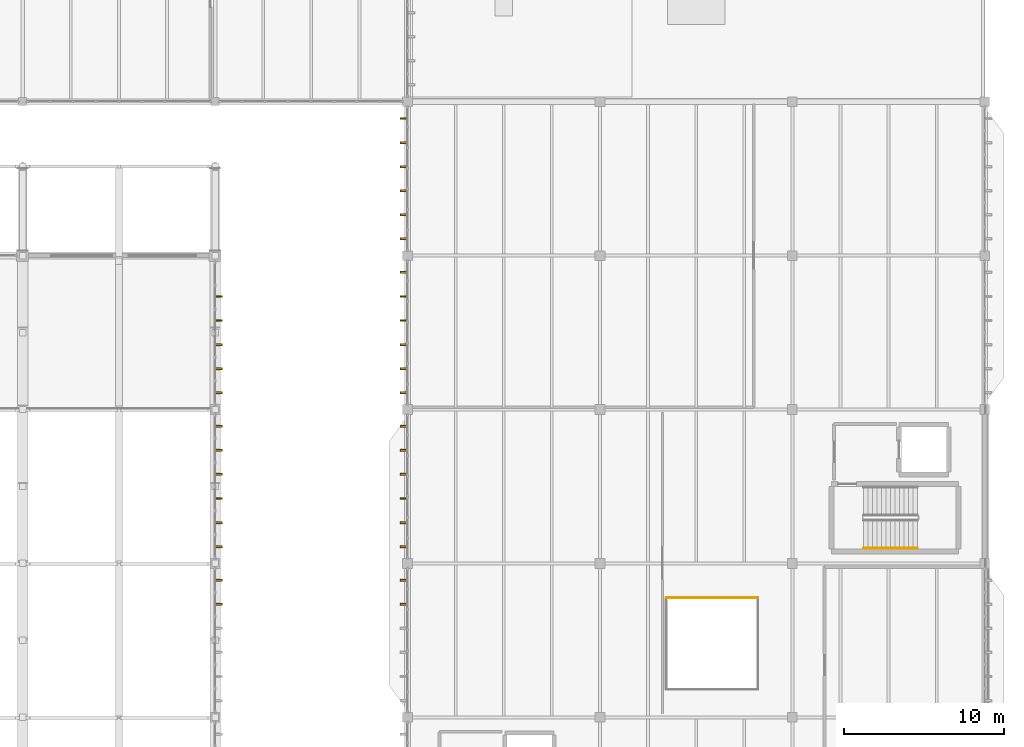
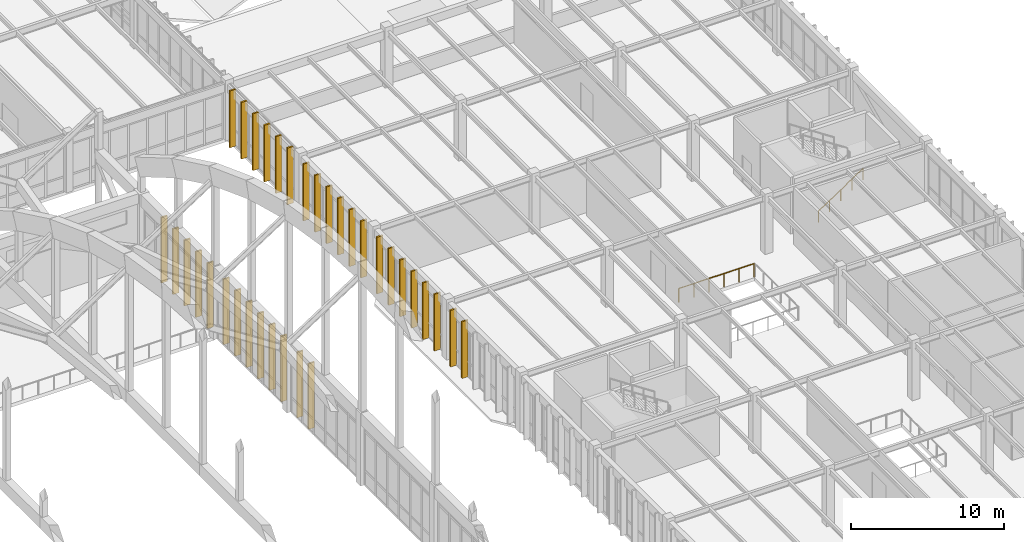
# One storey, part 234 of 236: 33 shading devices, 2 railings.
"""IFC4 building model written with IfcOpenShell, lengths in metres."""

from ifc_helpers import new_model, si_unit, direction, frame, origin, origin_2d, place, context, subcontext, project, spatial, rectangle, circle, extrude, material, type_object, element, save


model = new_model("IFC4")

# Units and contexts
model_context = context("Model", 3, precision=1e-05, world=origin(), true_north=direction((0.0, 1.0)))
body_context = subcontext(model_context, "Body", "Model", "MODEL_VIEW")
ifc_project = project(units=[si_unit("LENGTHUNIT", "METRE"), si_unit("AREAUNIT", "SQUARE_METRE"), si_unit("VOLUMEUNIT", "CUBIC_METRE"), si_unit("PLANEANGLEUNIT", "RADIAN"), si_unit("MASSUNIT", "GRAM", prefix="KILO")], contexts=[model_context])

# Site, building, storey
site_placement = place(None, origin())
site = spatial("IfcSite", under=ifc_project, at=site_placement, CompositionType="ELEMENT")
building_placement = place(site_placement, origin())
building = spatial("IfcBuilding", under=site, at=building_placement, Name="Pandanus Reach Market Hall", CompositionType="ELEMENT")
storey_placement = place(building_placement, frame((0.0, 0.0, 5.39990234375)))
storey = spatial("IfcBuildingStorey", under=building, at=storey_placement, Name="L01", CompositionType="ELEMENT", Elevation=5.39990234375)

# Shading devices
ifc_material_1 = material(Name="Precast concrete S50 (50 MPa)", Category="concrete")
shading_device_type = type_object("IfcShadingDeviceType", Name="FN-S50-450", PredefinedType="JALOUSIE", material=ifc_material_1)
for number, where, z_axis, x_axis, name in (
    (1, (132.219970703125, 64.64990234375, -0.009765625), (0.0, 0.0, 1.0), (1.0, 0.0, 0.0), "Precast brise-soleil fin 142"),
    (2, (132.219970703125, 66.14990234375, -0.009765625), (0.0, 0.0, 1.0), (1.0, 0.0, 0.0), "Precast brise-soleil fin 143"),
    (3, (132.219970703125, 68.25, -0.009765625), (0.0, 0.0, 1.0), (1.0, 0.0, 0.0), "Precast brise-soleil fin 150"),
    (4, (132.219970703125, 69.75, -0.009765625), (0.0, 0.0, 1.0), (1.0, 0.0, 0.0), "Precast brise-soleil fin 151"),
    (5, (132.219970703125, 71.25, -0.009765625), (0.0, 0.0, 1.0), (1.0, 0.0, 0.0), "Precast brise-soleil fin 152"),
    (6, (132.219970703125, 72.75, -0.009765625), (0.0, 0.0, 1.0), (1.0, 0.0, 0.0), "Precast brise-soleil fin 153"),
    (7, (132.219970703125, 74.25, -0.009765625), (0.0, 0.0, 1.0), (1.0, 0.0, 0.0), "Precast brise-soleil fin 154"),
    (8, (132.219970703125, 75.75, -0.009765625), (0.0, 0.0, 1.0), (1.0, 0.0, 0.0), "Precast brise-soleil fin 155"),
    (9, (132.219970703125, 77.85009765625, -0.009765625), (0.0, 0.0, 1.0), (1.0, 0.0, 0.0), "Precast brise-soleil fin 171"),
    (10, (132.219970703125, 79.35009765625, -0.009765625), (0.0, 0.0, 1.0), (1.0, 0.0, 0.0), "Precast brise-soleil fin 172"),
    (11, (132.219970703125, 80.85009765625, -0.009765625), (0.0, 0.0, 1.0), (1.0, 0.0, 0.0), "Precast brise-soleil fin 173"),
    (12, (132.219970703125, 82.35009765625, -0.009765625), (0.0, 0.0, 1.0), (1.0, 0.0, 0.0), "Precast brise-soleil fin 174"),
    (13, (132.219970703125, 83.85009765625, -0.009765625), (0.0, 0.0, 1.0), (1.0, 0.0, 0.0), "Precast brise-soleil fin 175"),
):
    element("IfcShadingDevice", number, at=place(storey_placement, frame(where, z_axis=z_axis, x_axis=x_axis)), inside=storey, type_object=shading_device_type, Name=name, PredefinedType="JALOUSIE", context=body_context, shape_type="SweptSolid", body=[
        extrude(rectangle(XDim=0.449951171875, YDim=0.1201171875, at=origin_2d()), origin(), (0.0, 0.0, 1.0), 5.219970703125),
    ])
for number, where, z_axis, x_axis, name in (
    (14, (143.780029296875, 64.64990234375, -0.010009765625), (0.0, 0.0, 1.0), (-1.0, 0.0, 0.0), "Precast brise-soleil fin 403"),
    (15, (143.780029296875, 66.14990234375, -0.010009765625), (0.0, 0.0, 1.0), (-1.0, 0.0, 0.0), "Precast brise-soleil fin 404"),
    (16, (143.780029296875, 68.25, -0.010009765625), (0.0, 0.0, 1.0), (-1.0, 0.0, 0.0), "Precast brise-soleil fin 405"),
    (17, (143.780029296875, 69.75, -0.010009765625), (0.0, 0.0, 1.0), (-1.0, 0.0, 0.0), "Precast brise-soleil fin 406"),
    (18, (143.780029296875, 71.25, -0.010009765625), (0.0, 0.0, 1.0), (-1.0, 0.0, 0.0), "Precast brise-soleil fin 407"),
    (19, (143.780029296875, 72.75, -0.010009765625), (0.0, 0.0, 1.0), (-1.0, 0.0, 0.0), "Precast brise-soleil fin 408"),
    (20, (143.780029296875, 74.25, -0.010009765625), (0.0, 0.0, 1.0), (-1.0, 0.0, 0.0), "Precast brise-soleil fin 409"),
    (21, (143.780029296875, 75.75, -0.010009765625), (0.0, 0.0, 1.0), (-1.0, 0.0, 0.0), "Precast brise-soleil fin 410"),
    (22, (143.780029296875, 77.85009765625, -0.010009765625), (0.0, 0.0, 1.0), (-1.0, 0.0, 0.0), "Precast brise-soleil fin 411"),
    (23, (143.780029296875, 79.35009765625, -0.010009765625), (0.0, 0.0, 1.0), (-1.0, 0.0, 0.0), "Precast brise-soleil fin 412"),
    (24, (143.780029296875, 80.85009765625, -0.010009765625), (0.0, 0.0, 1.0), (-1.0, 0.0, 0.0), "Precast brise-soleil fin 413"),
    (25, (143.780029296875, 82.35009765625, -0.010009765625), (0.0, 0.0, 1.0), (-1.0, 0.0, 0.0), "Precast brise-soleil fin 414"),
    (26, (143.780029296875, 83.85009765625, -0.010009765625), (0.0, 0.0, 1.0), (-1.0, 0.0, 0.0), "Precast brise-soleil fin 415"),
    (27, (143.780029296875, 85.35009765625, -0.010009765625), (0.0, 0.0, 1.0), (-1.0, 0.0, 0.0), "Precast brise-soleil fin 416"),
    (28, (143.780029296875, 87.449951171875, -0.010009765625), (0.0, 0.0, 1.0), (-1.0, 0.0, 0.0), "Precast brise-soleil fin 417"),
    (29, (143.780029296875, 88.949951171875, -0.010009765625), (0.0, 0.0, 1.0), (-1.0, 0.0, 0.0), "Precast brise-soleil fin 418"),
    (30, (143.780029296875, 90.449951171875, -0.010009765625), (0.0, 0.0, 1.0), (-1.0, 0.0, 0.0), "Precast brise-soleil fin 419"),
    (31, (143.780029296875, 91.949951171875, -0.010009765625), (0.0, 0.0, 1.0), (-1.0, 0.0, 0.0), "Precast brise-soleil fin 420"),
    (32, (143.780029296875, 93.449951171875, -0.010009765625), (0.0, 0.0, 1.0), (-1.0, 0.0, 0.0), "Precast brise-soleil fin 421"),
    (33, (143.780029296875, 94.949951171875, -0.010009765625), (0.0, 0.0, 1.0), (-1.0, 0.0, 0.0), "Precast brise-soleil fin 422"),
):
    element("IfcShadingDevice", number, at=place(storey_placement, frame(where, z_axis=z_axis, x_axis=x_axis)), inside=storey, type_object=shading_device_type, Name=name, PredefinedType="JALOUSIE", context=body_context, shape_type="SweptSolid", body=[
        extrude(rectangle(XDim=0.449951171875, YDim=0.1201171875, at=origin_2d()), origin(), (0.0, 0.0, 1.0), 4.52001953125),
    ])

# Railings
ifc_material_2 = material(Name="Galvanised steel Grade 350 (350 MPa)", Category="steel")
railing_type_1 = type_object("IfcRailingType", Name="GR-INT-110", PredefinedType="GUARDRAIL", material=ifc_material_2)
railing_1_placement = place(storey_placement, frame((165.820068359375, 65.06005859375, 0.0)))
element("IfcRailing", 34, at=railing_1_placement, inside=storey, type_object=railing_type_1, Name="Atrium lightwell guard L01.231", PredefinedType="GUARDRAIL", context=body_context, shape_type="SweptSolid", body=[
    extrude(circle(Radius=0.02392578125, at=origin_2d()), frame((0.0, 0.0, 1.076171875), z_axis=(-1.0, 0.0, 0.0), x_axis=(0.0, -1.0, 0.0)), (0.0, 0.0, 1.0), 5.68017578125),
    extrude(circle(Radius=0.02099609375, at=origin_2d()), origin(), (0.0, 0.0, 1.0), 1.052001953125),
    extrude(circle(Radius=0.02099609375, at=origin_2d()), frame((-1.135986328125, 0.0, 0.0)), (0.0, 0.0, 1.0), 1.052001953125),
    extrude(circle(Radius=0.02099609375, at=origin_2d()), frame((-2.27197265625, 0.0, 0.0)), (0.0, 0.0, 1.0), 1.052001953125),
    extrude(circle(Radius=0.02099609375, at=origin_2d()), frame((-3.408203125, 0.0, 0.0)), (0.0, 0.0, 1.0), 1.052001953125),
    extrude(circle(Radius=0.02099609375, at=origin_2d()), frame((-4.544189453125, 0.0, 0.0)), (0.0, 0.0, 1.0), 1.052001953125),
    extrude(circle(Radius=0.02099609375, at=origin_2d()), frame((-5.68017578125, 0.0, 0.0)), (0.0, 0.0, 1.0), 1.052001953125),
])
ifc_material_3 = material(Name="Brushed stainless steel", Category="steel")
railing_type_2 = type_object("IfcRailingType", Name="HR-WAL-090", PredefinedType="HANDRAIL", material=ifc_material_3)
railing_2_placement = place(storey_placement, frame((172.449951171875, 68.14990234375, 0.184814453125)))
element("IfcRailing", 35, at=railing_2_placement, inside=storey, type_object=railing_type_2, Name="Stair handrail ST-02 L01.48", PredefinedType="HANDRAIL", context=body_context, shape_type="SweptSolid", body=[
    extrude(circle(Radius=0.02392578125, at=origin_2d()), frame((0.0, 0.0, 0.8759765625), z_axis=(0.834876476806, 0.0, 0.550437342915), x_axis=(0.0, 1.0, 0.0)), (0.0, 0.0, 1.0), 4.024658203125),
    extrude(circle(Radius=0.02099609375, at=origin_2d()), origin(), (0.0, 0.0, 1.0), 0.851806640625),
    extrude(circle(Radius=0.02099609375, at=origin_2d()), frame((0.840087890625, 0.0, 0.5537109375)), (0.0, 0.0, 1.0), 0.851806640625),
    extrude(circle(Radius=0.02099609375, at=origin_2d()), frame((1.68017578125, 0.0, 1.107666015625)), (0.0, 0.0, 1.0), 0.851806640625),
    extrude(circle(Radius=0.02099609375, at=origin_2d()), frame((2.52001953125, 0.0, 1.66162109375)), (0.0, 0.0, 1.0), 0.851806640625),
    extrude(circle(Radius=0.02099609375, at=origin_2d()), frame((3.360107421875, 0.0, 2.21533203125)), (0.0, 0.0, 1.0), 0.851806640625),
])

save(model, "model.ifc")
